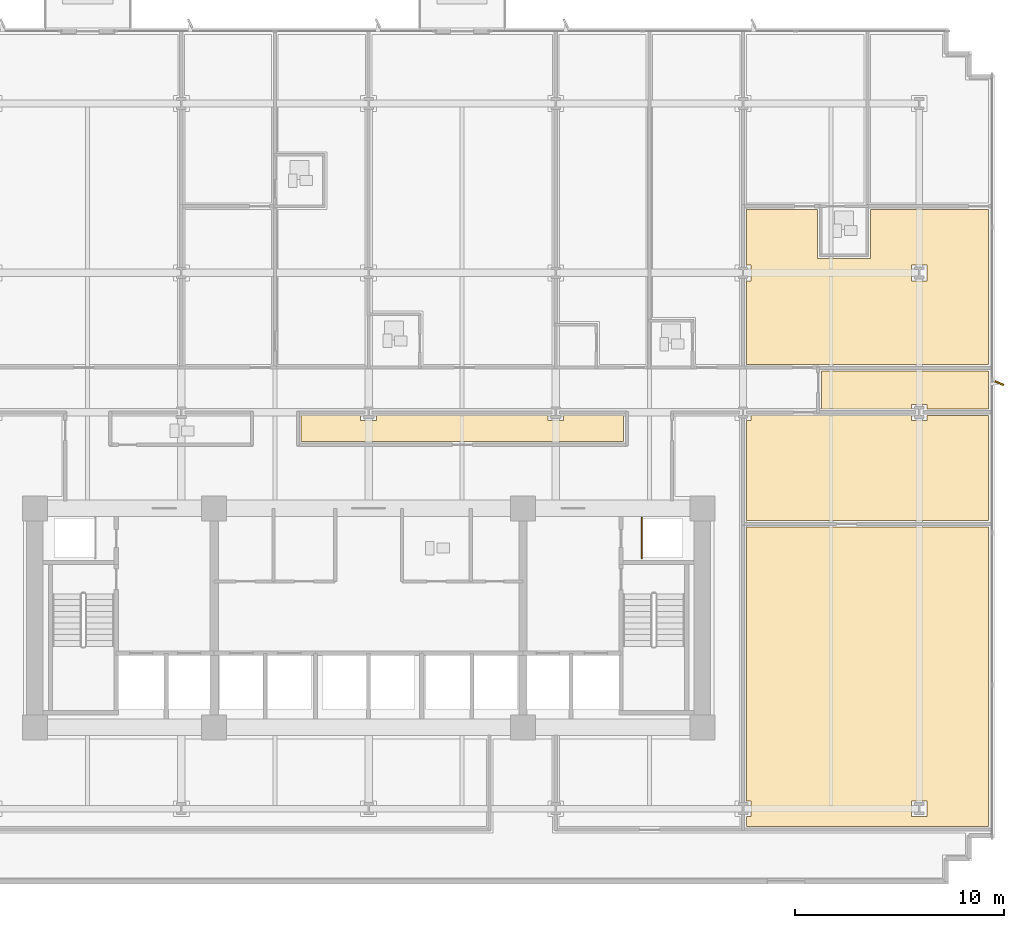
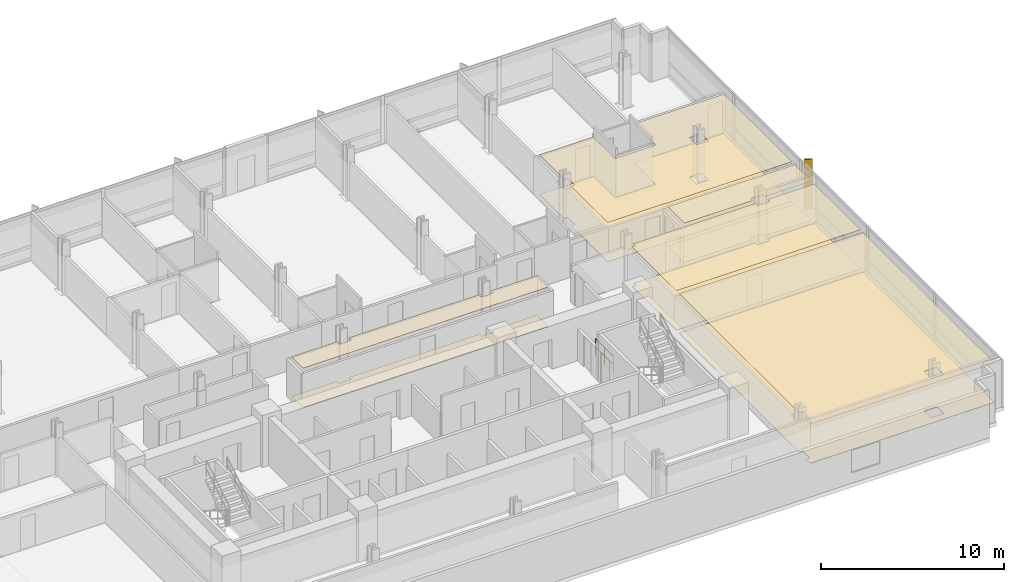
# One storey, part 15 of 17: 10 coverings, 1 railing, 1 shading device.
"""IFC4 building model written with IfcOpenShell, lengths in metres."""

from ifc_helpers import new_model, si_unit, direction, frame, origin, origin_2d, place, context, subcontext, project, spatial, polyline, rectangle, circle, outline, extrude, material, layer, layer_set, type_object, element, save


model = new_model("IFC4")

# Units and contexts
model_context = context("Model", 3, precision=1e-05, world=origin(), true_north=direction((0.0, 1.0)))
body_context = subcontext(model_context, "Body", "Model", "MODEL_VIEW")
ifc_project = project(units=[si_unit("LENGTHUNIT", "METRE"), si_unit("AREAUNIT", "SQUARE_METRE"), si_unit("VOLUMEUNIT", "CUBIC_METRE"), si_unit("PLANEANGLEUNIT", "RADIAN"), si_unit("MASSUNIT", "GRAM", prefix="KILO")], contexts=[model_context])

# Site, building, storey
site_placement = place(None, origin())
site = spatial("IfcSite", under=ifc_project, at=site_placement, CompositionType="ELEMENT")
building_placement = place(site_placement, origin())
building = spatial("IfcBuilding", under=site, at=building_placement, Name="Solmavex Isthmus Hotel", CompositionType="ELEMENT")
storey_placement = place(building_placement, frame((0.0, 0.0, 40.199951171875)))
storey = spatial("IfcBuildingStorey", under=building, at=storey_placement, Name="L10", CompositionType="ELEMENT", Elevation=40.199951171875)

# Coverings
ifc_material_1 = material(Name="Gypsum plasterboard lining", Category="gypsum")
ifc_layer_1 = layer(ifc_material_1, 0.030029296875)
ifc_layer_set_1 = layer_set([ifc_layer_1], Name="Gypsum plasterboard lining")
covering_type_1 = type_object("IfcCoveringType", Name="COV-CEIL-GYP", PredefinedType="CEILING", material=ifc_layer_set_1)
covering_1_placement = place(storey_placement, frame((0.0, 0.0, 2.6201171875)))
element("IfcCovering", 1, at=covering_1_placement, inside=storey, type_object=covering_type_1, Name="Suspended Acoustic Ceiling L10-ST06-FY", PredefinedType="CEILING", context=body_context, shape_type="SweptSolid", body=[
    extrude(outline(polyline([(18.10693359375, 9.16796875), (18.33203125, 9.16796875), (18.33203125, 8.407958984375), (18.10693359375, 8.407958984375), (18.10693359375, 4.405029296875), (21.70703125, 4.405029296875), (21.70703125, 4.385009765625), (29.72509765625, 4.385009765625), (29.72509765625, 11.8330078125), (24.071044921875, 11.8330078125), (24.071044921875, 9.48291015625), (21.510986328125, 9.48291015625), (21.510986328125, 11.8330078125), (18.10693359375, 11.8330078125), (18.10693359375, 9.16796875)]), holes=[polyline([(26.02001953125, 8.407958984375), (26.02001953125, 9.16796875), (26.780029296875, 9.16796875), (26.780029296875, 8.407958984375), (26.02001953125, 8.407958984375)])]), origin(), (0.0, 0.0, 1.0), 0.030029296875),
])
covering_2_placement = place(storey_placement, frame((0.0, 0.0, 2.6201171875)))
element("IfcCovering", 2, at=covering_2_placement, inside=storey, type_object=covering_type_1, Name="Suspended Acoustic Ceiling L10-FL09", PredefinedType="CEILING", context=body_context, shape_type="SweptSolid", body=[
    extrude(outline(polyline([(26.02001953125, 2.2548828125), (26.02001953125, 2.47998046875), (26.780029296875, 2.47998046875), (26.780029296875, 2.2548828125), (29.72509765625, 2.2548828125), (29.72509765625, 4.074951171875), (21.70703125, 4.074951171875), (21.70703125, 2.2548828125), (26.02001953125, 2.2548828125)])), origin(), (0.0, 0.0, 1.0), 0.030029296875),
])
covering_3_placement = place(storey_placement, frame((0.0, 0.0, 2.6201171875)))
element("IfcCovering", 3, at=covering_3_placement, inside=storey, type_object=covering_type_1, Name="Suspended Acoustic Ceiling L10-FL10", PredefinedType="CEILING", context=body_context, shape_type="SweptSolid", body=[
    extrude(outline(polyline([(0.3798828125, 1.945068359375), (0.3798828125, 1.719970703125), (-0.3798828125, 1.719970703125), (-0.3798828125, 1.945068359375), (-3.23291015625, 1.945068359375), (-3.23291015625, 0.705078125), (12.22900390625, 0.705078125), (12.22900390625, 1.945068359375), (9.35595703125, 1.945068359375), (9.35595703125, 1.719970703125), (8.595947265625, 1.719970703125), (8.595947265625, 1.945068359375), (0.3798828125, 1.945068359375)])), origin(), (0.0, 0.0, 1.0), 0.030029296875),
])
covering_4_placement = place(storey_placement, frame((0.0, 0.0, 2.6201171875)))
element("IfcCovering", 4, at=covering_4_placement, inside=storey, type_object=covering_type_1, Name="Suspended Acoustic Ceiling L10-FL12", PredefinedType="CEILING", context=body_context, shape_type="SweptSolid", body=[
    extrude(outline(polyline([(26.780029296875, 1.945068359375), (26.780029296875, 1.719970703125), (26.02001953125, 1.719970703125), (26.02001953125, 1.945068359375), (18.33203125, 1.945068359375), (18.33203125, 1.719970703125), (18.10693359375, 1.719970703125), (18.10693359375, -3.094970703125), (29.72509765625, -3.094970703125), (29.72509765625, 1.945068359375), (26.780029296875, 1.945068359375)])), origin(), (0.0, 0.0, 1.0), 0.030029296875),
])
covering_5_placement = place(storey_placement, frame((0.0, 0.0, 2.6201171875)))
element("IfcCovering", 5, at=covering_5_placement, inside=storey, type_object=covering_type_1, Name="Suspended Acoustic Ceiling L10-FL17", PredefinedType="CEILING", context=body_context, shape_type="SweptSolid", body=[
    extrude(outline(polyline([(18.10693359375, -16.52001953125), (18.33203125, -16.52001953125), (18.33203125, -17.280029296875), (18.10693359375, -17.280029296875), (18.10693359375, -17.7451171875), (29.72509765625, -17.7451171875), (29.72509765625, -3.405029296875), (18.10693359375, -3.405029296875), (18.10693359375, -16.52001953125)]), holes=[polyline([(26.02001953125, -17.280029296875), (26.02001953125, -16.52001953125), (26.780029296875, -16.52001953125), (26.780029296875, -17.280029296875), (26.02001953125, -17.280029296875)])]), origin(), (0.0, 0.0, 1.0), 0.030029296875),
])
ifc_material_2 = material(Name="Travertine natural stone", Category="masonry")
ifc_layer_2 = layer(ifc_material_2, 0.02490234375)
ifc_layer_set_2 = layer_set([ifc_layer_2], Name="Travertine natural stone")
covering_type_2 = type_object("IfcCoveringType", Name="COV-FLOR-STN", PredefinedType="FLOORING", material=ifc_layer_set_2)
covering_6_placement = place(storey_placement, origin())
element("IfcCovering", 6, at=covering_6_placement, inside=storey, type_object=covering_type_2, Name="Stone and Timber Floor Finish L10-ST06-FY", PredefinedType="FLOORING", context=body_context, shape_type="SweptSolid", body=[
    extrude(outline(polyline([(18.10693359375, 9.16796875), (18.33203125, 9.16796875), (18.33203125, 8.407958984375), (18.10693359375, 8.407958984375), (18.10693359375, 4.405029296875), (21.70703125, 4.405029296875), (21.70703125, 4.385009765625), (29.72509765625, 4.385009765625), (29.72509765625, 11.8330078125), (24.071044921875, 11.8330078125), (24.071044921875, 9.48291015625), (21.510986328125, 9.48291015625), (21.510986328125, 11.8330078125), (18.10693359375, 11.8330078125), (18.10693359375, 9.16796875)]), holes=[polyline([(26.02001953125, 8.407958984375), (26.02001953125, 9.16796875), (26.780029296875, 9.16796875), (26.780029296875, 8.407958984375), (26.02001953125, 8.407958984375)])]), origin(), (0.0, 0.0, 1.0), 0.025146484375),
])
covering_7_placement = place(storey_placement, origin())
element("IfcCovering", 7, at=covering_7_placement, inside=storey, type_object=covering_type_2, Name="Stone and Timber Floor Finish L10-FL09", PredefinedType="FLOORING", context=body_context, shape_type="SweptSolid", body=[
    extrude(outline(polyline([(26.02001953125, 2.2548828125), (26.02001953125, 2.47998046875), (26.780029296875, 2.47998046875), (26.780029296875, 2.2548828125), (29.72509765625, 2.2548828125), (29.72509765625, 4.074951171875), (21.70703125, 4.074951171875), (21.70703125, 2.2548828125), (26.02001953125, 2.2548828125)])), origin(), (0.0, 0.0, 1.0), 0.025146484375),
])
covering_8_placement = place(storey_placement, origin())
element("IfcCovering", 8, at=covering_8_placement, inside=storey, type_object=covering_type_2, Name="Stone and Timber Floor Finish L10-FL10", PredefinedType="FLOORING", context=body_context, shape_type="SweptSolid", body=[
    extrude(outline(polyline([(0.3798828125, 1.945068359375), (0.3798828125, 1.719970703125), (-0.3798828125, 1.719970703125), (-0.3798828125, 1.945068359375), (-3.23291015625, 1.945068359375), (-3.23291015625, 0.705078125), (12.22900390625, 0.705078125), (12.22900390625, 1.945068359375), (9.35595703125, 1.945068359375), (9.35595703125, 1.719970703125), (8.595947265625, 1.719970703125), (8.595947265625, 1.945068359375), (0.3798828125, 1.945068359375)])), origin(), (0.0, 0.0, 1.0), 0.025146484375),
])
covering_9_placement = place(storey_placement, origin())
element("IfcCovering", 9, at=covering_9_placement, inside=storey, type_object=covering_type_2, Name="Stone and Timber Floor Finish L10-FL12", PredefinedType="FLOORING", context=body_context, shape_type="SweptSolid", body=[
    extrude(outline(polyline([(26.780029296875, 1.945068359375), (26.780029296875, 1.719970703125), (26.02001953125, 1.719970703125), (26.02001953125, 1.945068359375), (18.33203125, 1.945068359375), (18.33203125, 1.719970703125), (18.10693359375, 1.719970703125), (18.10693359375, -3.094970703125), (29.72509765625, -3.094970703125), (29.72509765625, 1.945068359375), (26.780029296875, 1.945068359375)])), origin(), (0.0, 0.0, 1.0), 0.025146484375),
])
covering_10_placement = place(storey_placement, origin())
element("IfcCovering", 10, at=covering_10_placement, inside=storey, type_object=covering_type_2, Name="Stone and Timber Floor Finish L10-FL17", PredefinedType="FLOORING", context=body_context, shape_type="SweptSolid", body=[
    extrude(outline(polyline([(18.10693359375, -16.52001953125), (18.33203125, -16.52001953125), (18.33203125, -17.280029296875), (18.10693359375, -17.280029296875), (18.10693359375, -17.7451171875), (29.72509765625, -17.7451171875), (29.72509765625, -3.405029296875), (18.10693359375, -3.405029296875), (18.10693359375, -16.52001953125)]), holes=[polyline([(26.02001953125, -17.280029296875), (26.02001953125, -16.52001953125), (26.780029296875, -16.52001953125), (26.780029296875, -17.280029296875), (26.02001953125, -17.280029296875)])]), origin(), (0.0, 0.0, 1.0), 0.025146484375),
])

# Railing
ifc_material_3 = material(Name="Clear low-E laminated glass", Category="glass")
ifc_layer_3 = layer(ifc_material_3, 0.080078125)
ifc_layer_set_3 = layer_set([ifc_layer_3], Name="Clear low-E laminated glass")
railing_type = type_object("IfcRailingType", Name="RAIL-ATRIUM-1120", PredefinedType="BALUSTRADE", material=ifc_layer_set_3)
railing_placement = place(storey_placement, frame((13.10009765625, -4.89990234375, 0.0)))
element("IfcRailing", 11, at=railing_placement, inside=storey, type_object=railing_type, Name="Guardrail Balustrade L10-RSE-01", PredefinedType="BALUSTRADE", context=body_context, shape_type="SweptSolid", body=[
    extrude(circle(Radius=0.02392578125, at=origin_2d()), frame((0.0, 0.0, 1.1259765625), z_axis=(0.0, 1.0, 0.0), x_axis=(-1.0, 0.0, 0.0)), (0.0, 0.0, 1.0), 1.949951171875),
    extrude(circle(Radius=0.02392578125, at=origin_2d()), frame((0.0, 0.0, 0.574951171875), z_axis=(0.0, 1.0, 0.0), x_axis=(-1.0, 0.0, 0.0)), (0.0, 0.0, 1.0), 1.949951171875),
    extrude(circle(Radius=0.02099609375, at=origin_2d()), origin(), (0.0, 0.0, 1.0), 1.101806640625),
    extrude(circle(Radius=0.02099609375, at=origin_2d()), frame((0.0, 0.97509765625, 0.0)), (0.0, 0.0, 1.0), 1.101806640625),
    extrude(circle(Radius=0.02099609375, at=origin_2d()), frame((0.0, 1.949951171875, 0.0)), (0.0, 0.0, 1.0), 1.101806640625),
])

# Shading device
ifc_material_4 = material(Name="Aluminium alloy 6063-T6", Category="aluminium")
shading_device_type = type_object("IfcShadingDeviceType", Name="SHD-FIN-BRONZE", PredefinedType="USERDEFINED", material=ifc_material_4)
shading_device_placement = place(storey_placement, frame((30.239990234375, 3.5, -0.139892578125), z_axis=(0.0, 0.0, 1.0), x_axis=(0.913545457643, -0.406736643076, 0.0)))
element("IfcShadingDevice", 12, at=shading_device_placement, inside=storey, type_object=shading_device_type, Name="Anodised Aluminium Solar Fin L10-E1", ObjectType="SOLAR_FIN", PredefinedType="USERDEFINED", context=body_context, shape_type="SweptSolid", body=[
    extrude(rectangle(XDim=0.449951171875, YDim=0.080078125, at=origin_2d()), origin(), (0.0, 0.0, 1.0), 3.330078125),
])

save(model, "model.ifc")
